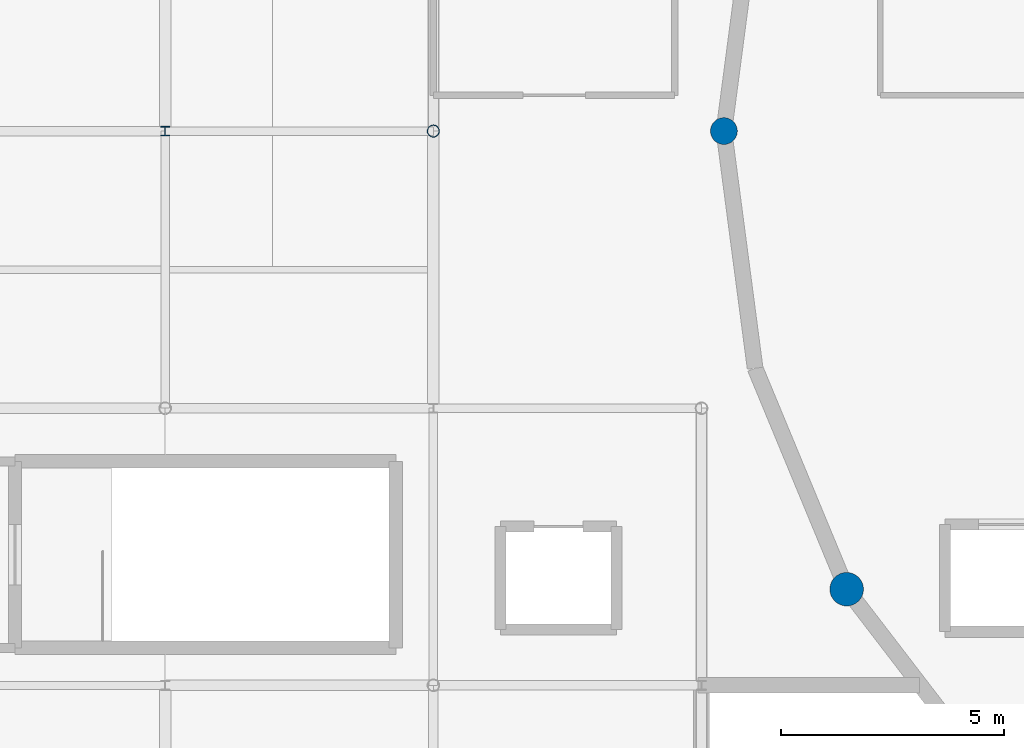
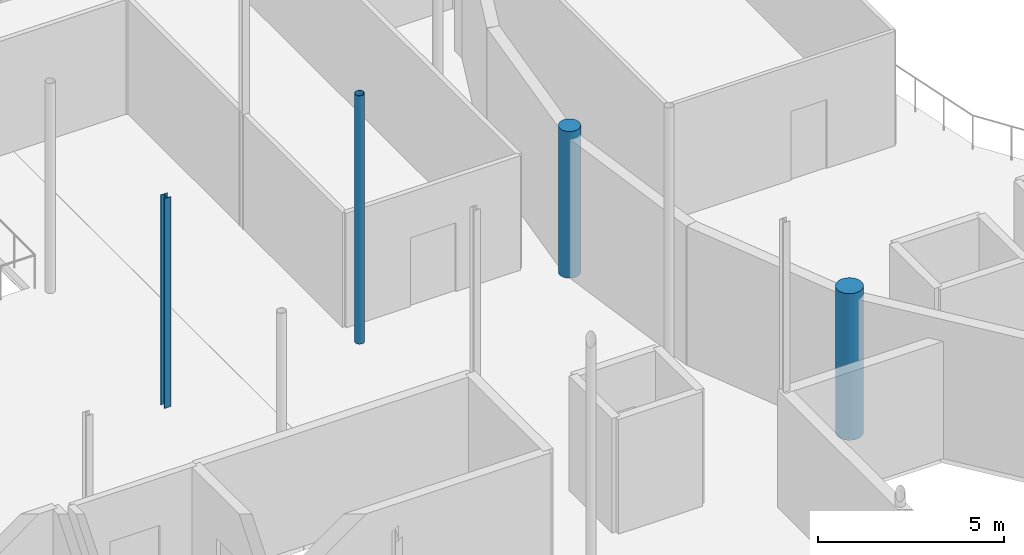
# One storey, part 3 of 66: 4 columns.
"""IFC4 building model written with IfcOpenShell, lengths in metres."""

from ifc_helpers import new_model, si_unit, direction, frame, origin, origin_2d, place, context, subcontext, project, spatial, circle, hollow_circle, i_section, extrude, material, material_profile, profile_set, type_object, element, save


model = new_model("IFC4")

# Units and contexts
model_context = context("Model", 3, precision=1e-05, world=origin(), true_north=direction((0.0, 1.0)))
body_context = subcontext(model_context, "Body", "Model", "MODEL_VIEW")
ifc_project = project(units=[si_unit("LENGTHUNIT", "METRE"), si_unit("AREAUNIT", "SQUARE_METRE"), si_unit("VOLUMEUNIT", "CUBIC_METRE"), si_unit("PLANEANGLEUNIT", "RADIAN"), si_unit("MASSUNIT", "GRAM", prefix="KILO")], contexts=[model_context])

# Site, building, storey
site_placement = place(None, origin())
site = spatial("IfcSite", under=ifc_project, at=site_placement, CompositionType="ELEMENT")
building_placement = place(site_placement, origin())
building = spatial("IfcBuilding", under=site, at=building_placement, Name="Mirzam Square Science Centre", CompositionType="ELEMENT")
storey_placement = place(building_placement, frame((0.0, 0.0, 15.60009765625)))
storey = spatial("IfcBuildingStorey", under=building, at=storey_placement, Name="L03", CompositionType="ELEMENT", Elevation=15.60009765625)

# Columns
ifc_material_1 = material(Name="Steel S355", Category="steel")
ifc_material_profile_1 = material_profile(ifc_material_1, hollow_circle(Radius=0.136474609375, WallThickness=0.010009765625, at=origin_2d()), Name="273.0x10.0CHS")
ifc_profile_set_1 = profile_set([ifc_material_profile_1], Name="Steel S355")
column_type_1 = type_object("IfcColumnType", Name="COL-CHS273", PredefinedType="COLUMN", material=ifc_profile_set_1)
column_1_placement = place(storey_placement, frame((54.0, 62.0, 0.0), z_axis=(0.0, 0.0, 1.0), x_axis=(1.0, 0.0, 0.0)))
element("IfcColumn", 1, at=column_1_placement, inside=storey, type_object=column_type_1, Name="L03 column G10-11", PredefinedType="COLUMN", context=body_context, shape_type="SweptSolid", body=[
    extrude(hollow_circle(Radius=0.136474609375, WallThickness=0.010009765625, at=origin_2d()), origin(), (0.0, 0.0, 1.0), 8.1298828125),
])
ifc_material_profile_2 = material_profile(ifc_material_1, i_section(OverallWidth=0.205810546875, OverallDepth=0.209716796875, WebThickness=0.009521484375, FlangeThickness=0.01416015625, FilletRadius=0.01025390625, at=origin_2d()), Name="203x203x60UC")
ifc_profile_set_2 = profile_set([ifc_material_profile_2], Name="Steel S355")
column_type_2 = type_object("IfcColumnType", Name="COL-UC203A", PredefinedType="COLUMN", material=ifc_profile_set_2)
column_2_placement = place(storey_placement, frame((48.0, 62.0, 0.0), z_axis=(0.0, 0.0, 1.0), x_axis=(1.0, 0.0, 0.0)))
element("IfcColumn", 2, at=column_2_placement, inside=storey, type_object=column_type_2, Name="L03 column G09-11", PredefinedType="COLUMN", context=body_context, shape_type="SweptSolid", body=[
    extrude(i_section(OverallWidth=0.205810546875, OverallDepth=0.209716796875, WebThickness=0.009521484375, FlangeThickness=0.01416015625, FilletRadius=0.01025390625, at=origin_2d()), origin(), (0.0, 0.0, 1.0), 6.869873046875),
])
ifc_material_2 = material(Name="Concrete C45/55", Category="concrete")
ifc_material_profile_3 = material_profile(ifc_material_2, circle(Radius=0.300048828125, at=origin_2d()), Name="RCD600")
ifc_profile_set_3 = profile_set([ifc_material_profile_3], Name="Concrete C45/55")
column_type_3 = type_object("IfcColumnType", Name="PIL-RCD600", PredefinedType="PILASTER", material=ifc_profile_set_3)
column_3_placement = place(storey_placement, frame((60.5, 62.0, 0.0), z_axis=(0.0, 0.0, 1.0), x_axis=(1.0, 0.0, 0.0)))
element("IfcColumn", 3, at=column_3_placement, inside=storey, type_object=column_type_3, Name="L03 drum pilaster 13", PredefinedType="PILASTER", context=body_context, shape_type="SweptSolid", body=[
    extrude(circle(Radius=0.300048828125, at=origin_2d()), origin(), (0.0, 0.0, 1.0), 4.7998046875),
])
ifc_material_profile_4 = material_profile(ifc_material_2, circle(Radius=0.375, at=origin_2d()), Name="RCD750")
ifc_profile_set_4 = profile_set([ifc_material_profile_4], Name="Concrete C45/55")
column_type_4 = type_object("IfcColumnType", Name="PIL-RCD750", PredefinedType="PILASTER", material=ifc_profile_set_4)
column_4_placement = place(storey_placement, frame((63.24658203125, 51.75, 0.0), z_axis=(0.0, 0.0, 1.0), x_axis=(1.0, 0.0, 0.0)))
element("IfcColumn", 4, at=column_4_placement, inside=storey, type_object=column_type_4, Name="L03 drum pilaster 15", PredefinedType="PILASTER", context=body_context, shape_type="SweptSolid", body=[
    extrude(circle(Radius=0.375, at=origin_2d()), origin(), (0.0, 0.0, 1.0), 4.7998046875),
])

save(model, "model.ifc")
